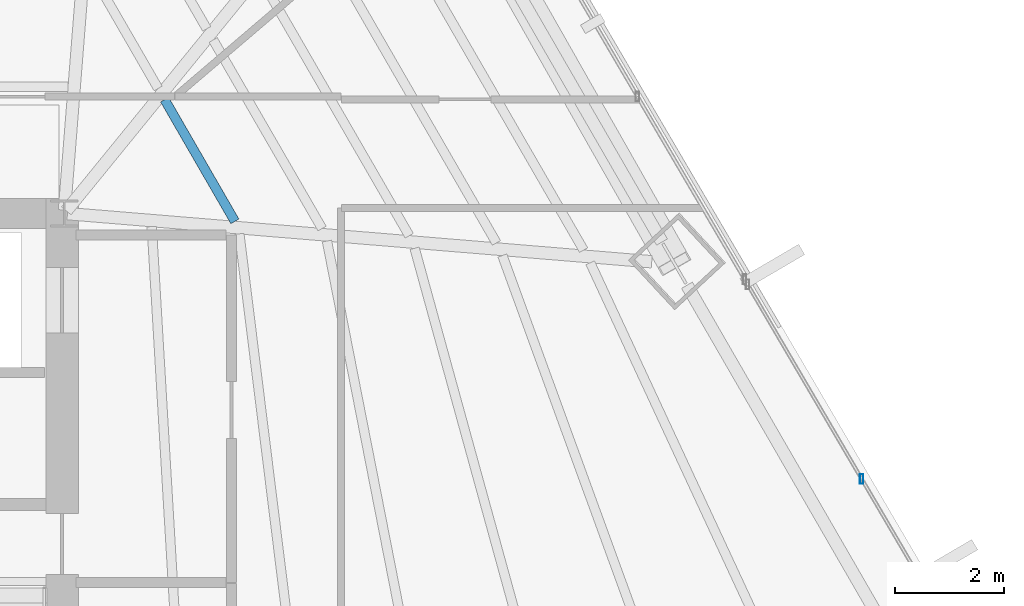
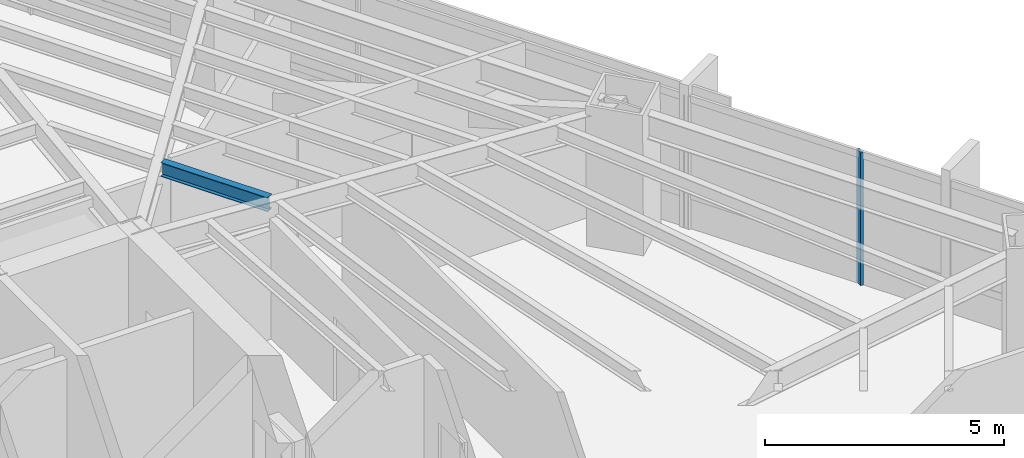
# One storey, part 22 of 37: 1 beam, 1 member, 1 element without a shape of its own.
"""IFC4 building model written with IfcOpenShell, lengths in metres."""

import ifcopenshell
import ifcopenshell.guid

model = None  # the IFC model being written
_history = None  # IfcOwnerHistory: only IFC2X3 demands one
_inside = {}  # id of a spatial element -> (the spatial element, [elements in it])
_under = {}  # id of a project, library or spatial element -> (it, [spatial elements below it])
_declared = {}  # id of a project -> (the project, [libraries it declares])
_typed = {}  # id of a type object -> (the type object, [elements of that type])
_made_of = {}  # id of a material, layer set ... -> (it, [elements and type objects made of it])


def new_model(schema):
    """Start an empty IFC model of exactly this schema.

    Asked for "IFC4X3", IfcOpenShell would pick the latest addendum, in which some entities
    have other attributes; the version numbers below select the first issue.
    IFC2X3 requires an IfcOwnerHistory on every rooted entity: one is made here for all.
    """
    global model, _history
    if schema == "IFC4X3":
        model = ifcopenshell.file(schema_version=(4, 3, 0, 0))
    else:
        model = ifcopenshell.file(schema=schema)
    _inside.clear()
    _under.clear()
    _declared.clear()
    _typed.clear()
    _made_of.clear()
    _history = None
    if model.schema == "IFC2X3":
        org = make("IfcOrganization", Name="unknown")
        user = make(
            "IfcPersonAndOrganization",
            ThePerson=make("IfcPerson", FamilyName="unknown"),
            TheOrganization=org,
        )
        app = make(
            "IfcApplication",
            ApplicationDeveloper=org,
            Version="unknown",
            ApplicationFullName="unknown",
            ApplicationIdentifier="unknown",
        )
        _history = make(
            "IfcOwnerHistory",
            OwningUser=user,
            OwningApplication=app,
            ChangeAction="ADDED",
            CreationDate=0,
        )
    return model


def make(cls, **values):
    """One entity of the class cls with the attributes given. An attribute that is None is left unset."""
    return model.create_entity(
        cls, **{name: value for name, value in values.items() if value is not None}
    )


def rooted(cls, **values):
    """An entity with a GlobalId (a new one), such as an element, a storey or a relation."""
    return make(cls, GlobalId=ifcopenshell.guid.new(), OwnerHistory=_history, **values)


def si_unit(unit_type, name, prefix=None):
    """IfcSIUnit, for example si_unit("LENGTHUNIT", "METRE", prefix="MILLI")."""
    return make("IfcSIUnit", UnitType=unit_type, Prefix=prefix, Name=name)


def assignment(units):
    """IfcUnitAssignment: the units of a project."""
    return None if units is None else make("IfcUnitAssignment", Units=units)


def point(xyz):
    """IfcCartesianPoint."""
    return None if xyz is None else make("IfcCartesianPoint", Coordinates=xyz)


def direction(xyz):
    """IfcDirection."""
    return None if xyz is None else make("IfcDirection", DirectionRatios=xyz)


def frame(location, z_axis=None, x_axis=None):
    """IfcAxis2Placement3D, a coordinate frame: its origin and axes. An axis left out is left unset."""
    return make(
        "IfcAxis2Placement3D",
        Location=point(location),
        Axis=direction(z_axis),
        RefDirection=direction(x_axis),
    )


def frame_2d(location, x_axis=None):
    """IfcAxis2Placement2D, a coordinate frame in the plane: its origin and x axis."""
    return make(
        "IfcAxis2Placement2D", Location=point(location), RefDirection=direction(x_axis)
    )


def origin():
    """The frame at (0, 0, 0) with its axes left unset."""
    return frame((0.0, 0.0, 0.0))


def origin_2d():
    """The frame at (0, 0) in the plane with its x axis left unset."""
    return frame_2d((0.0, 0.0))


def place(relative_to, where):
    """IfcLocalPlacement: puts the frame where relative to a parent placement (None: the world)."""
    return make(
        "IfcLocalPlacement", PlacementRelTo=relative_to, RelativePlacement=where
    )


def context(
    kind, dimensions, precision=None, world=None, true_north=None, identifier=None
):
    """IfcGeometricRepresentationContext, for example the 3D "Model" context."""
    return make(
        "IfcGeometricRepresentationContext",
        ContextIdentifier=identifier,
        ContextType=kind,
        CoordinateSpaceDimension=dimensions,
        Precision=precision,
        WorldCoordinateSystem=world,
        TrueNorth=true_north,
    )


def subcontext(parent, identifier, kind, view, scale=None):
    """IfcGeometricRepresentationSubContext, for example "Body" below "Model"."""
    return make(
        "IfcGeometricRepresentationSubContext",
        ContextIdentifier=identifier,
        ContextType=kind,
        ParentContext=parent,
        TargetScale=scale,
        TargetView=view,
    )


def project(units=None, contexts=None):
    """IfcProject with its units and contexts."""
    return rooted(
        "IfcProject",
        Name="project",
        RepresentationContexts=contexts,
        UnitsInContext=assignment(units),
    )


def spatial(cls, under=None, at=None, **own):
    """A site, building, storey or space (cls), placed at a placement, below another one or the project."""
    s = rooted(cls, ObjectPlacement=at, **own)
    if under is not None:
        _under.setdefault(under.id(), (under, []))[1].append(s)
    return s


def profile(cls, at=None, kind="AREA", **sizes):
    """A parametric profile (cls). Its sizes go by their IFC names, for example OverallWidth=200.0."""
    return make(cls, ProfileType=kind, Position=at, **sizes)


def hollow_rectangle(**sizes):
    """IfcRectangleHollowProfileDef."""
    return profile("IfcRectangleHollowProfileDef", **sizes)


def i_section(**sizes):
    """IfcIShapeProfileDef."""
    return profile("IfcIShapeProfileDef", **sizes)


def extrude(swept, where, along, depth):
    """IfcExtrudedAreaSolid: the profile swept, set in the frame where, extruded along a direction by depth."""
    return make(
        "IfcExtrudedAreaSolid",
        SweptArea=swept,
        Position=where,
        ExtrudedDirection=direction(along),
        Depth=depth,
    )


def shape(context_of_items, identifier, shape_type, items):
    """IfcShapeRepresentation: the items that make up one representation, for example the "Body"."""
    return make(
        "IfcShapeRepresentation",
        ContextOfItems=context_of_items,
        RepresentationIdentifier=identifier,
        RepresentationType=shape_type,
        Items=items,
    )


def source(mapping_origin, context_of_items, identifier, shape_type, items):
    """IfcRepresentationMap: a shape defined once, which mapped items show again and again."""
    return make(
        "IfcRepresentationMap",
        MappingOrigin=mapping_origin,
        MappedRepresentation=shape(context_of_items, identifier, shape_type, items),
    )


def transform(
    local_origin,
    x_axis=None,
    y_axis=None,
    z_axis=None,
    scale=None,
    scale2=None,
    scale3=None,
    uniform=True,
):
    """IfcCartesianTransformationOperator3D, or its non-uniform kind. x_axis, y_axis, z_axis: its Axis1, 2, 3."""
    if uniform:
        return make(
            "IfcCartesianTransformationOperator3D",
            Axis1=direction(x_axis),
            Axis2=direction(y_axis),
            LocalOrigin=point(local_origin),
            Scale=scale,
            Axis3=direction(z_axis),
        )
    return make(
        "IfcCartesianTransformationOperator3DnonUniform",
        Axis1=direction(x_axis),
        Axis2=direction(y_axis),
        LocalOrigin=point(local_origin),
        Scale=scale,
        Axis3=direction(z_axis),
        Scale2=scale2,
        Scale3=scale3,
    )


def mapped(mapping_source, mapping_target):
    """IfcMappedItem: shows the shape of a source again, moved by a transform."""
    return make(
        "IfcMappedItem", MappingSource=mapping_source, MappingTarget=mapping_target
    )


def material(Name=None, Category=None):
    """IfcMaterial."""
    return make("IfcMaterial", Name=Name, Category=Category)


def material_profile(
    of_material, cross_section, Name=None, Category=None, Priority=None
):
    """IfcMaterialProfile: a cross section and its material."""
    return make(
        "IfcMaterialProfile",
        Name=Name,
        Material=of_material,
        Profile=cross_section,
        Priority=Priority,
        Category=Category,
    )


def profile_set(profiles, Name=None, composite=None):
    """IfcMaterialProfileSet."""
    return make(
        "IfcMaterialProfileSet",
        Name=Name,
        MaterialProfiles=profiles,
        CompositeProfile=composite,
    )


def made_of(thing, what):
    """Note that an element or type object is made of a material, layer set ...; save() writes the relation."""
    if what is not None:
        _made_of.setdefault(what.id(), (what, []))[1].append(thing)
    return thing


def type_object(cls, material=None, **own):
    """A type object (cls), such as IfcWallType, which elements share."""
    return made_of(rooted(cls, **own), material)


def type_shapes(of_type, sources):
    """Give a type object the sources (RepresentationMaps) that its elements show as mapped items."""
    of_type.RepresentationMaps = sources


def element(
    cls,
    number,
    at=None,
    inside=None,
    cuts=None,
    type_object=None,
    material=None,
    context=None,
    identifier="Body",
    shape_type=None,
    held_by="IfcProductDefinitionShape",
    body=None,
    shapes=None,
    **own,
):
    """One element of the class cls, such as IfcWall. Its Tag is "e" and its number.

    at: its placement. inside: the storey or other place that contains it. cuts: it is an
    opening in that element (IfcRelVoidsElement). A single representation is given by context,
    identifier, shape_type and body (its items); several are given by shapes. held_by: the class
    of the entity that holds the representations. save() writes the other relations.
    """
    e = rooted(cls, Tag="e%d" % number, ObjectPlacement=at, **own)
    if body is not None:
        shapes = [shape(context, identifier, shape_type, body)]
    if shapes is not None:
        e.Representation = make(held_by, Representations=shapes)
    if inside is not None:
        _inside.setdefault(inside.id(), (inside, []))[1].append(e)
    if cuts is not None:
        rooted(
            "IfcRelVoidsElement", RelatingBuildingElement=cuts, RelatedOpeningElement=e
        )
    if type_object is not None:
        _typed.setdefault(type_object.id(), (type_object, []))[1].append(e)
    return made_of(e, material)


def aggregate(whole, parts):
    """IfcRelAggregates: a whole, such as a stair, and the parts it consists of."""
    return rooted("IfcRelAggregates", RelatingObject=whole, RelatedObjects=parts)


def save(model, path):
    """Write the relations noted so far, then the file.

    IfcRelAggregates (storeys below a building ...), IfcRelContainedInSpatialStructure (elements
    in a storey), IfcRelDefinesByType, IfcRelAssociatesMaterial and IfcRelDeclares: one each for
    every whole, place, type object, material and project.
    """
    for whole, parts in _under.values():
        aggregate(whole, parts)
    for where, things in _inside.values():
        rooted(
            "IfcRelContainedInSpatialStructure",
            RelatedElements=things,
            RelatingStructure=where,
        )
    for kind, things in _typed.values():
        rooted("IfcRelDefinesByType", RelatedObjects=things, RelatingType=kind)
    for what, things in _made_of.values():
        rooted("IfcRelAssociatesMaterial", RelatedObjects=things, RelatingMaterial=what)
    for by, libraries in _declared.values():
        rooted("IfcRelDeclares", RelatingContext=by, RelatedDefinitions=libraries)
    model.write(path)


model = new_model("IFC4")

# Units and contexts
model_context = context("Model", 3, precision=1e-05, world=origin(), true_north=direction((0.0, 1.0)))
body_context = subcontext(model_context, "Body", "Model", "MODEL_VIEW")
ifc_project = project(units=[si_unit("LENGTHUNIT", "METRE"), si_unit("AREAUNIT", "SQUARE_METRE"), si_unit("VOLUMEUNIT", "CUBIC_METRE"), si_unit("PLANEANGLEUNIT", "RADIAN"), si_unit("MASSUNIT", "GRAM", prefix="KILO")], contexts=[model_context])

# Site, building, storey
site_placement = place(None, origin())
site = spatial("IfcSite", under=ifc_project, at=site_placement, CompositionType="ELEMENT")
building_placement = place(site_placement, origin())
building = spatial("IfcBuilding", under=site, at=building_placement, Name="Caelisora Broadcast Tower", CompositionType="ELEMENT")
storey_placement = place(building_placement, frame((0.0, 0.0, 45.85009765625)))
storey = spatial("IfcBuildingStorey", under=building, at=storey_placement, Name="L11", CompositionType="ELEMENT", Elevation=45.85009765625)

# Beam
ifc_material_1 = material(Name="Steel Grade 350 (AS/NZS 3679.1)", Category="steel")
ifc_material_profile_1 = material_profile(ifc_material_1, i_section(OverallWidth=0.172119140625, OverallDepth=0.358642578125, WebThickness=0.008056640625, FlangeThickness=0.012939453125, at=origin_2d()), Name="Steel Grade 350 (AS/NZS 3679.1)")
ifc_profile_set_1 = profile_set([ifc_material_profile_1], Name="Steel Grade 350 (AS/NZS 3679.1)")
beam_type = type_object("IfcBeamType", Name="SB02", PredefinedType="JOIST", material=ifc_profile_set_1)
shared_shape_1 = source(origin(), body_context, "Body", "SweptSolid", [
    extrude(i_section(OverallWidth=0.172119140625, OverallDepth=0.358642578125, WebThickness=0.008056640625, FlangeThickness=0.012939453125, at=origin_2d()), origin(), (0.0, 0.0, 1.0), 2.5888671875),
])
type_shapes(beam_type, [shared_shape_1])
beam_placement = place(storey_placement, frame((48.6435546875, 29.852783203125, 3.220703125), z_axis=(-0.5000136139, 0.866017543653, 0.0), x_axis=(-0.866017543653, -0.5000136139, 0.0)))
element("IfcBeam", 1, at=beam_placement, inside=storey, type_object=beam_type, Name="L11 beam SB02", PredefinedType="JOIST", context=body_context, shape_type="MappedRepresentation", body=[
    mapped(shared_shape_1, transform((0.0, 0.0, 0.0), scale=1.0)),
])

# Curtain wall, member
ifc_material_2 = material(Name="Unitised Aluminium and Low-E Glass Curtain Wall", Category="glass")
curtain_wall_type = type_object("IfcCurtainWallType", Name="CW-Z1", PredefinedType="NOTDEFINED", material=ifc_material_2)
curtain_wall_placement = place(storey_placement, origin())
curtain_wall = element("IfcCurtainWall", 2, at=curtain_wall_placement, inside=storey, type_object=curtain_wall_type, Name="L11 curtain wall CW-Z1", PredefinedType="NOTDEFINED")
ifc_material_3 = material(Name="Aluminium 6063-T6 Anodised Terracotta Bronze", Category="aluminium")
ifc_material_profile_2 = material_profile(ifc_material_3, hollow_rectangle(XDim=0.06494140625, YDim=0.179931640625, WallThickness=0.00341796875, at=origin_2d()), Name="Aluminium 6063-T6 Anodised Terracotta Bronze")
ifc_profile_set_2 = profile_set([ifc_material_profile_2], Name="Aluminium 6063-T6 Anodised Terracotta Bronze")
member_type = type_object("IfcMemberType", Name="CWM-02", PredefinedType="MULLION", material=ifc_profile_set_2)
shared_shape_2 = source(origin(), body_context, "Body", "SweptSolid", [
    extrude(hollow_rectangle(XDim=0.06494140625, YDim=0.179931640625, WallThickness=0.00341796875, at=origin_2d()), origin(), (0.0, 0.0, 1.0), 3.39990234375),
])
type_shapes(member_type, [shared_shape_2])
member_placement = place(storey_placement, frame((60.187744140625, 25.10888671875, 0.0), z_axis=(0.0, 0.0, 1.0), x_axis=(1.0, 0.0, 0.0)))
member = element("IfcMember", 3, at=member_placement, type_object=member_type, Name="L11-CW-B03 mullion #1", PredefinedType="MULLION", context=body_context, shape_type="MappedRepresentation", body=[
    mapped(shared_shape_2, transform((0.0, 0.0, 0.0), scale=1.0)),
])
aggregate(curtain_wall, [member])

save(model, "model.ifc")
